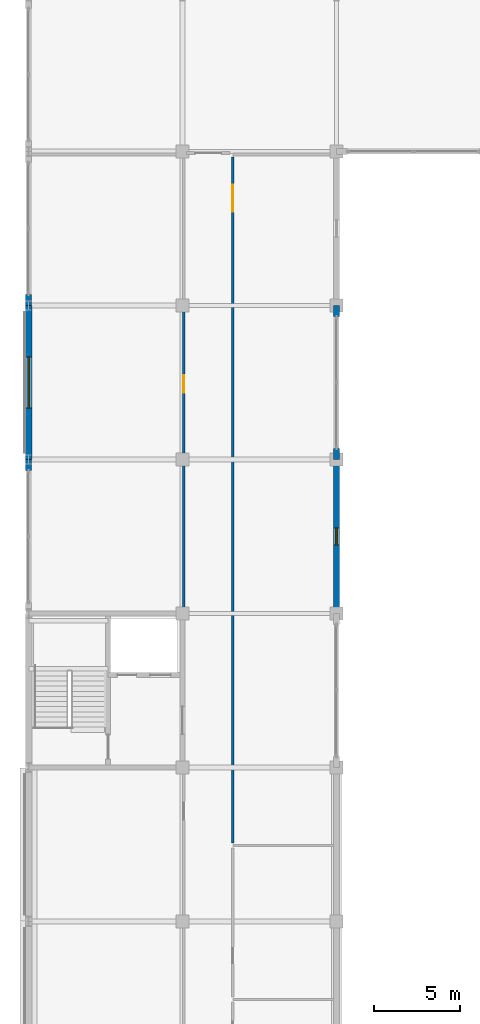
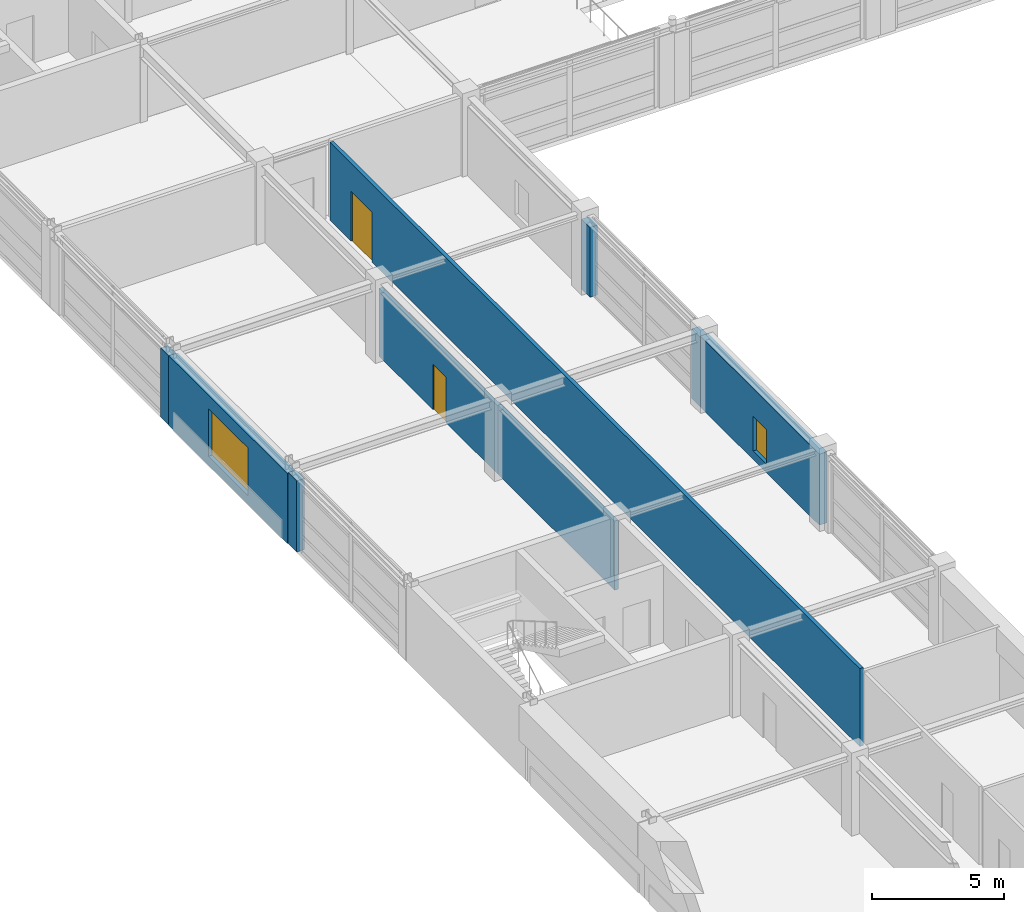
# One storey, part 64 of 79: 9 walls, 2 doors, 2 windows, 4 openings.
"""IFC4 building model written with IfcOpenShell, lengths in metres."""

from ifc_helpers import new_model, si_unit, direction, frame, frame_2d, origin, place, context, subcontext, project, spatial, rectangle, extrude, material, layer, layer_set, type_object, element, fill, save


model = new_model("IFC4")

# Units and contexts
model_context = context("Model", 3, precision=1e-05, world=origin(), true_north=direction((0.0, 1.0)))
body_context = subcontext(model_context, "Body", "Model", "MODEL_VIEW")
ifc_project = project(units=[si_unit("LENGTHUNIT", "METRE"), si_unit("AREAUNIT", "SQUARE_METRE"), si_unit("VOLUMEUNIT", "CUBIC_METRE"), si_unit("PLANEANGLEUNIT", "RADIAN"), si_unit("MASSUNIT", "GRAM", prefix="KILO")], contexts=[model_context])

# Site, building, storey
site_placement = place(None, origin())
site = spatial("IfcSite", under=ifc_project, at=site_placement, CompositionType="ELEMENT")
building_placement = place(site_placement, origin())
building = spatial("IfcBuilding", under=site, at=building_placement, Name="Palais des Congres Ocreval", CompositionType="ELEMENT")
storey_placement = place(building_placement, frame((0.0, 0.0, 4.320068359375)))
storey = spatial("IfcBuildingStorey", under=building, at=storey_placement, Name="L01", CompositionType="ELEMENT", Elevation=4.320068359375)

# Wall
ifc_material_1 = material(Name="Gypsum acoustic partition")
ifc_layer_1 = layer(ifc_material_1, 0.159912109375)
ifc_layer_set_1 = layer_set([ifc_layer_1], Name="Corridor Fire Partition 160 Gypsum (Gypsum acoustic partition)")
wall_type_1 = type_object("IfcWallType", Name="Corridor Fire Partition 160 Gypsum", PredefinedType="PARTITIONING", material=ifc_layer_set_1)
wall_1_placement = place(storey_placement, frame((9.06494140625, 45.155029296875, 0.0), z_axis=(0.0, 0.0, 1.0), x_axis=(0.0, 1.0, 0.0)))
element("IfcWall", 1, at=wall_1_placement, inside=storey, type_object=wall_type_1, Name="Interior Partition IW03 L01", PredefinedType="PARTITIONING", context=body_context, shape_type="SweptSolid", body=[
    extrude(rectangle(XDim=8.824951171875, YDim=0.159912109375, at=frame_2d((4.41259765625, 0.0))), origin(), (0.0, 0.0, 1.0), 3.18994140625),
])

# Wall, opening, door
wall_2_placement = place(storey_placement, frame((11.93505859375, 31.590087890625, 0.0), z_axis=(0.0, 0.0, 1.0), x_axis=(0.0, 1.0, 0.0)))
wall_2 = element("IfcWall", 2, at=wall_2_placement, inside=storey, type_object=wall_type_1, Name="Interior Partition IW03 L01", PredefinedType="PARTITIONING", context=body_context, shape_type="SweptSolid", body=[
    extrude(rectangle(XDim=40.079833984375, YDim=0.159912109375, at=frame_2d((20.0400390625, 0.0))), origin(), (0.0, 0.0, 1.0), 3.599853515625),
])
opening_1_placement = place(wall_2_placement, frame((36.8798828125, 0.0, 0.0)))
opening_1 = element("IfcOpeningElement", 3, at=opening_1_placement, cuts=wall_2, Name="Opening D12", PredefinedType="OPENING", context=body_context, shape_type="SweptSolid", body=[
    extrude(rectangle(XDim=1.60009765625, YDim=2.300048828125, at=frame_2d((0.800048828125, 1.14990234375))), frame((0.0, 0.08984375, 0.0), z_axis=(0.0, -1.0, 0.0), x_axis=(1.0, 0.0, 0.0)), (0.0, 0.0, 1.0), 0.179931640625),
])
ifc_material_2 = material(Name="Solid French oak", Category="wood")
door_type_1 = type_object("IfcDoorType", Name="Meeting Room Acoustic Double Door 1600x2300", OperationType="NOTDEFINED", PredefinedType="DOOR", material=ifc_material_2)
door_1_placement = place(opening_1_placement, origin())
door_1 = element("IfcDoor", 4, at=door_1_placement, inside=storey, type_object=door_type_1, Name="Interior Door D12 L01", OperationType="DOUBLE_DOOR_SINGLE_SWING", OverallHeight=2.300048828125, OverallWidth=1.60009765625, PredefinedType="DOOR", context=body_context, shape_type="SweptSolid", body=[
    extrude(rectangle(XDim=1.60009765625, YDim=2.300048828125, at=frame_2d((0.800048828125, 1.14990234375))), frame((0.0, 0.02490234375, 0.0), z_axis=(0.0, -1.0, 0.0), x_axis=(1.0, 0.0, 0.0)), (0.0, 0.0, 1.0), 0.050048828125),
])
fill(opening_1, door_1)

wall_3_placement = place(storey_placement, frame((9.06494140625, 53.97998046875, 0.0), z_axis=(0.0, 0.0, 1.0), x_axis=(0.0, 1.0, 0.0)))
wall_3 = element("IfcWall", 5, at=wall_3_placement, inside=storey, type_object=wall_type_1, Name="Interior Partition IW03 L01", PredefinedType="PARTITIONING", context=body_context, shape_type="SweptSolid", body=[
    extrude(rectangle(XDim=9.0, YDim=0.159912109375, at=frame_2d((4.5, 0.0))), origin(), (0.0, 0.0, 1.0), 3.139892578125),
])
opening_2_placement = place(wall_3_placement, frame((3.9326171875, 0.0, 0.0)))
opening_2 = element("IfcOpeningElement", 6, at=opening_2_placement, cuts=wall_3, Name="Opening D10", PredefinedType="OPENING", context=body_context, shape_type="SweptSolid", body=[
    extrude(rectangle(XDim=1.0, YDim=2.10009765625, at=frame_2d((0.5, 1.050048828125))), frame((0.0, 0.08984375, 0.0), z_axis=(0.0, -1.0, 0.0), x_axis=(1.0, 0.0, 0.0)), (0.0, 0.0, 1.0), 0.179931640625),
])
ifc_material_3 = material(Name="Painted steel", Category="steel")
door_type_2 = type_object("IfcDoorType", Name="Service and Pantry Door 1000x2100", OperationType="NOTDEFINED", PredefinedType="DOOR", material=ifc_material_3)
door_2_placement = place(opening_2_placement, origin())
door_2 = element("IfcDoor", 7, at=door_2_placement, inside=storey, type_object=door_type_2, Name="Interior Door D10 L01", OperationType="SINGLE_SWING_LEFT", OverallHeight=2.10009765625, OverallWidth=1.0, PredefinedType="DOOR", context=body_context, shape_type="SweptSolid", body=[
    extrude(rectangle(XDim=1.0, YDim=2.10009765625, at=frame_2d((0.5, 1.050048828125))), frame((0.0, 0.02490234375, 0.0), z_axis=(0.0, -1.0, 0.0), x_axis=(1.0, 0.0, 0.0)), (0.0, 0.0, 1.0), 0.050048828125),
])
fill(opening_2, door_2)

# Wall, opening, window
ifc_material_4 = material(Name="Concrete C40/50", Category="concrete")
ifc_layer_2 = layer(ifc_material_4, 0.3798828125)
ifc_layer_set_2 = layer_set([ifc_layer_2], Name="Lutetian Limestone Street Wall 380 Concrete C40/50")
wall_type_2 = type_object("IfcWallType", Name="Lutetian Limestone Street Wall 380 Concrete C40/50", PredefinedType="SOLIDWALL", material=ifc_layer_set_2)
wall_4_placement = place(storey_placement, frame((0.0, 54.0, 0.0), z_axis=(0.0, 0.0, 1.0), x_axis=(0.0, 1.0, 0.0)))
wall_4 = element("IfcWall", 8, at=wall_4_placement, inside=storey, type_object=wall_type_2, Name="Exterior Wall EW03 L01", PredefinedType="SOLIDWALL", context=body_context, shape_type="SweptSolid", body=[
    extrude(rectangle(XDim=9.0, YDim=0.3798828125, at=frame_2d((4.5, 0.0))), origin(), (0.0, 0.0, 1.0), 3.219970703125),
])
opening_3_placement = place(wall_4_placement, frame((3.0, 0.0, 0.39990234375)))
opening_3 = element("IfcOpeningElement", 9, at=opening_3_placement, cuts=wall_4, Name="Opening WN07", PredefinedType="OPENING", context=body_context, shape_type="SweptSolid", body=[
    extrude(rectangle(XDim=3.0, YDim=2.199951171875, at=frame_2d((1.5, 1.10009765625))), frame((0.0, 0.199951171875, 0.0), z_axis=(0.0, -1.0, 0.0), x_axis=(1.0, 0.0, 0.0)), (0.0, 0.0, 1.0), 0.39990234375),
])
ifc_material_5 = material(Name="Anodized bronze aluminium and low-E glass", Category="glass")
window_type_1 = type_object("IfcWindowType", Name="Crown Belvedere Window 3000x2200", PartitioningType="SINGLE_PANEL", PredefinedType="WINDOW", material=ifc_material_5)
window_1_placement = place(opening_3_placement, origin())
window_1 = element("IfcWindow", 10, at=window_1_placement, inside=storey, type_object=window_type_1, Name="Facade Window WN07", OverallHeight=2.199951171875, OverallWidth=3.0, PartitioningType="SINGLE_PANEL", PredefinedType="WINDOW", context=body_context, shape_type="SweptSolid", body=[
    extrude(rectangle(XDim=3.0, YDim=2.199951171875, at=frame_2d((1.5, 1.10009765625))), frame((0.0, 0.030029296875, 0.0), z_axis=(0.0, -1.0, 0.0), x_axis=(1.0, 0.0, 0.0)), (0.0, 0.0, 1.0), 0.06005859375),
])
fill(opening_3, window_1)

# Walls
ifc_layer_3 = layer(ifc_material_4, 0.340087890625)
ifc_layer_set_3 = layer_set([ifc_layer_3], Name="Ochre Mineral-Lime Courtyard Wall 340 Concrete C40/50")
wall_type_3 = type_object("IfcWallType", Name="Ochre Mineral-Lime Courtyard Wall 340 Concrete C40/50", PredefinedType="SOLIDWALL", material=ifc_layer_set_3)
wall_5_placement = place(storey_placement, frame((0.0, 53.35009765625, 0.0), z_axis=(0.0, 0.0, 1.0), x_axis=(0.0, 1.0, 0.0)))
element("IfcWall", 11, at=wall_5_placement, inside=storey, type_object=wall_type_3, Name="Facade Pier EW04 L01", PredefinedType="SOLIDWALL", context=body_context, shape_type="SweptSolid", body=[
    extrude(rectangle(XDim=0.64990234375, YDim=0.340087890625, at=frame_2d((0.324951171875, 0.0))), origin(), (0.0, 0.0, 1.0), 3.280029296875),
])
wall_6_placement = place(storey_placement, frame((0.0, 63.0, 0.0), z_axis=(0.0, 0.0, 1.0), x_axis=(0.0, 1.0, 0.0)))
element("IfcWall", 12, at=wall_6_placement, inside=storey, type_object=wall_type_3, Name="Facade Pier EW04 L01", PredefinedType="SOLIDWALL", context=body_context, shape_type="SweptSolid", body=[
    extrude(rectangle(XDim=0.64990234375, YDim=0.340087890625, at=frame_2d((0.324951171875, 0.0))), origin(), (0.0, 0.0, 1.0), 3.179931640625),
])
for number, where, z_axis, x_axis, name in (
    (13, (18.0, 63.0, 0.0), (0.0, 0.0, 1.0), (0.0, -1.0, 0.0), "Facade Pier EW04 L01"),
    (14, (18.0, 54.64990234375, 0.0), (0.0, 0.0, 1.0), (0.0, -1.0, 0.0), "Facade Pier EW04 L01"),
):
    element("IfcWall", number, at=place(storey_placement, frame(where, z_axis=z_axis, x_axis=x_axis)), inside=storey, type_object=wall_type_3, Name=name, PredefinedType="SOLIDWALL", context=body_context, shape_type="SweptSolid", body=[
        extrude(rectangle(XDim=0.64990234375, YDim=0.340087890625, at=frame_2d((0.324951171875, 0.0))), origin(), (0.0, 0.0, 1.0), 3.219970703125),
    ])

# Wall, opening, window
wall_7_placement = place(storey_placement, frame((18.0, 54.0, 0.0), z_axis=(0.0, 0.0, 1.0), x_axis=(0.0, -1.0, 0.0)))
wall_7 = element("IfcWall", 15, at=wall_7_placement, inside=storey, type_object=wall_type_3, Name="Exterior Wall EW04 L01", PredefinedType="SOLIDWALL", context=body_context, shape_type="SweptSolid", body=[
    extrude(rectangle(XDim=9.0, YDim=0.340087890625, at=frame_2d((4.5, 0.0))), origin(), (0.0, 0.0, 1.0), 3.280029296875),
])
opening_4_placement = place(wall_7_placement, frame((4.0, 0.0, 0.39990234375)))
opening_4 = element("IfcOpeningElement", 16, at=opening_4_placement, cuts=wall_7, Name="Opening WN18", PredefinedType="OPENING", context=body_context, shape_type="SweptSolid", body=[
    extrude(rectangle(XDim=1.0, YDim=1.60009765625, at=frame_2d((0.5, 0.800048828125))), frame((0.0, 0.179931640625, 0.0), z_axis=(0.0, -1.0, 0.0), x_axis=(1.0, 0.0, 0.0)), (0.0, 0.0, 1.0), 0.360107421875),
])
window_type_2 = type_object("IfcWindowType", Name="Stair and Lobby Daylight Window 1000x1600", PartitioningType="SINGLE_PANEL", PredefinedType="WINDOW", material=ifc_material_5)
window_2_placement = place(opening_4_placement, origin())
window_2 = element("IfcWindow", 17, at=window_2_placement, inside=storey, type_object=window_type_2, Name="Facade Window WN18", OverallHeight=1.60009765625, OverallWidth=1.0, PartitioningType="SINGLE_PANEL", PredefinedType="WINDOW", context=body_context, shape_type="SweptSolid", body=[
    extrude(rectangle(XDim=1.0, YDim=1.60009765625, at=frame_2d((0.5, 0.800048828125))), frame((0.0, 0.030029296875, 0.0), z_axis=(0.0, -1.0, 0.0), x_axis=(1.0, 0.0, 0.0)), (0.0, 0.0, 1.0), 0.06005859375),
])
fill(opening_4, window_2)

save(model, "model.ifc")
